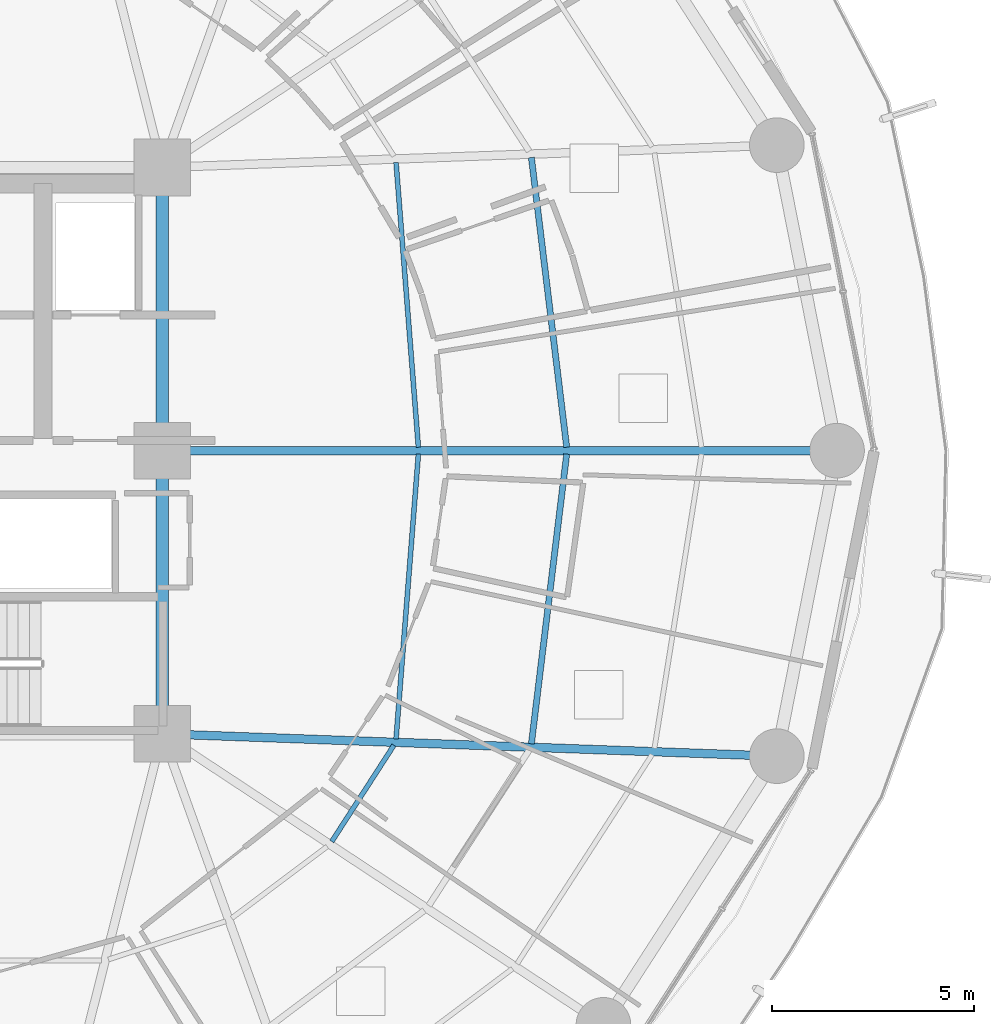
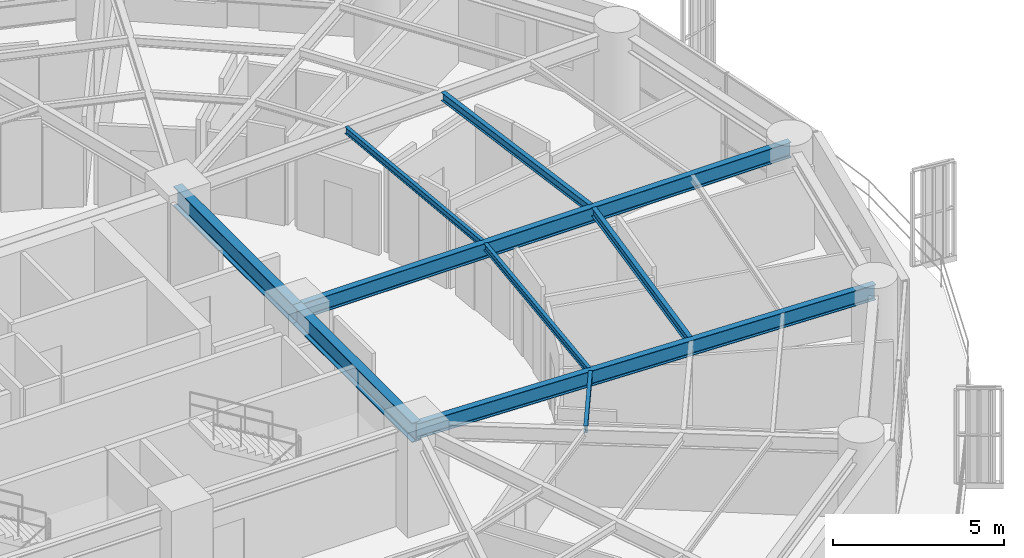
# One storey, part 12 of 33: 9 beams.
"""IFC4 building model written with IfcOpenShell, lengths in metres."""

from ifc_helpers import new_model, si_unit, direction, frame, origin, origin_2d, place, context, subcontext, project, spatial, i_section, extrude, material, material_profile, profile_set, type_object, element, save


model = new_model("IFC4")

# Units and contexts
model_context = context("Model", 3, precision=1e-05, world=origin(), true_north=direction((0.0, 1.0)))
body_context = subcontext(model_context, "Body", "Model", "MODEL_VIEW")
ifc_project = project(units=[si_unit("LENGTHUNIT", "METRE"), si_unit("AREAUNIT", "SQUARE_METRE"), si_unit("VOLUMEUNIT", "CUBIC_METRE"), si_unit("PLANEANGLEUNIT", "RADIAN"), si_unit("MASSUNIT", "GRAM", prefix="KILO")], contexts=[model_context])

# Site, building, storey
site_placement = place(None, origin())
site = spatial("IfcSite", under=ifc_project, at=site_placement, CompositionType="ELEMENT")
building_placement = place(site_placement, origin())
building = spatial("IfcBuilding", under=site, at=building_placement, Name="Kelanora Arch Commons", CompositionType="ELEMENT")
storey_placement = place(building_placement, frame((0.0, 0.0, 83.85009765625)))
storey = spatial("IfcBuildingStorey", under=building, at=storey_placement, Name="L21", CompositionType="ELEMENT", Elevation=83.85009765625)

# Beams
ifc_material = material(Name="Steel S355", Category="steel")
ifc_material_profile_1 = material_profile(ifc_material, i_section(OverallWidth=0.300048828125, OverallDepth=0.699951171875, WebThickness=0.01708984375, FlangeThickness=0.031982421875, FilletRadius=0.027099609375, at=origin_2d()), Name="HEB700")
ifc_profile_set_1 = profile_set([ifc_material_profile_1], Name="Steel S355")
beam_type_1 = type_object("IfcBeamType", Name="BM-CORE-HDR", PredefinedType="BEAM", material=ifc_profile_set_1)
for number, where, z_axis, x_axis, name in (
    (1, (82.0, 51.0, 3.139892578125), (0.0, 1.0, 0.0), (-1.0, 0.0, 0.0), "Core Header Beam 03 L21"),
    (2, (82.0, 58.0, 3.139892578125), (0.0, 1.0, 0.0), (-1.0, 0.0, 0.0), "Core Header Beam 04 L21"),
):
    element("IfcBeam", number, at=place(storey_placement, frame(where, z_axis=z_axis, x_axis=x_axis)), inside=storey, type_object=beam_type_1, Name=name, PredefinedType="BEAM", context=body_context, shape_type="SweptSolid", body=[
        extrude(i_section(OverallWidth=0.300048828125, OverallDepth=0.699951171875, WebThickness=0.01708984375, FlangeThickness=0.031982421875, FilletRadius=0.027099609375, at=origin_2d()), origin(), (0.0, 0.0, 1.0), 7.0),
    ])
ifc_material_profile_2 = material_profile(ifc_material, i_section(OverallWidth=0.14990234375, OverallDepth=0.300048828125, WebThickness=0.007080078125, FlangeThickness=0.0107421875, FilletRadius=0.014892578125, at=origin_2d()), Name="IPE300")
ifc_profile_set_2 = profile_set([ifc_material_profile_2], Name="Steel S355")
beam_type_2 = type_object("IfcBeamType", Name="BM-JST-01", PredefinedType="JOIST", material=ifc_profile_set_2)
for number, where, z_axis, x_axis, name in (
    (3, (91.997802734375, 58.08447265625, 3.33984375), (-0.120935645266, 0.992660349618, 0.0), (-0.992660349618, -0.120935645266, 0.0), "Secondary Chord Joist BJB-00 L21"),
    (4, (91.125244140625, 50.75341796875, 3.33984375), (0.120935645266, 0.992660349618, 0.0), (-0.992660349618, 0.120935645266, 0.0), "Secondary Chord Joist BJB-34 L21"),
):
    element("IfcBeam", number, at=place(storey_placement, frame(where, z_axis=z_axis, x_axis=x_axis)), inside=storey, type_object=beam_type_2, Name=name, PredefinedType="JOIST", context=body_context, shape_type="SweptSolid", body=[
        extrude(i_section(OverallWidth=0.14990234375, OverallDepth=0.300048828125, WebThickness=0.007080078125, FlangeThickness=0.0107421875, FilletRadius=0.014892578125, at=origin_2d()), origin(), (0.0, 0.0, 1.0), 7.215087890625),
    ])
ifc_material_profile_3 = material_profile(ifc_material, i_section(OverallWidth=0.1201171875, OverallDepth=0.239990234375, WebThickness=0.006103515625, FlangeThickness=0.009765625, FilletRadius=0.014892578125, at=origin_2d()), Name="IPE240")
ifc_profile_set_3 = profile_set([ifc_material_profile_3], Name="Steel S355")
beam_type_3 = type_object("IfcBeamType", Name="BM-JST-02", PredefinedType="JOIST", material=ifc_profile_set_3)
beam_1_placement = place(storey_placement, frame((88.331787109375, 58.084716796875, 3.369873046875), z_axis=(-0.078200677502, 0.996937637989, 0.0), x_axis=(-0.996937637989, -0.078200677502, 0.0)))
element("IfcBeam", 5, at=beam_1_placement, inside=storey, type_object=beam_type_3, Name="Secondary Chord Joist BJA-00 L21", PredefinedType="JOIST", context=body_context, shape_type="SweptSolid", body=[
    extrude(i_section(OverallWidth=0.1201171875, OverallDepth=0.239990234375, WebThickness=0.006103515625, FlangeThickness=0.009765625, FilletRadius=0.014892578125, at=origin_2d()), origin(), (0.0, 0.0, 1.0), 7.06201171875),
])
beam_2_placement = place(storey_placement, frame((86.1904296875, 48.338134765625, 3.369873046875), z_axis=(0.542211255502, 0.840242199849, 0.0), x_axis=(-0.840242199849, 0.542211255502, 0.0)))
element("IfcBeam", 6, at=beam_2_placement, inside=storey, type_object=beam_type_3, Name="Secondary Chord Joist BJA-32 L21", PredefinedType="JOIST", context=body_context, shape_type="SweptSolid", body=[
    extrude(i_section(OverallWidth=0.1201171875, OverallDepth=0.239990234375, WebThickness=0.006103515625, FlangeThickness=0.009765625, FilletRadius=0.014892578125, at=origin_2d()), origin(), (0.0, 0.0, 1.0), 2.83349609375),
])
beam_3_placement = place(storey_placement, frame((87.779541015625, 50.875, 3.369873046875), z_axis=(0.078200677502, 0.996937637989, 0.0), x_axis=(-0.996937637989, 0.078200677502, 0.0)))
element("IfcBeam", 7, at=beam_3_placement, inside=storey, type_object=beam_type_3, Name="Secondary Chord Joist BJA-34 L21", PredefinedType="JOIST", context=body_context, shape_type="SweptSolid", body=[
    extrude(i_section(OverallWidth=0.1201171875, OverallDepth=0.239990234375, WebThickness=0.006103515625, FlangeThickness=0.009765625, FilletRadius=0.014892578125, at=origin_2d()), origin(), (0.0, 0.0, 1.0), 7.06201171875),
])
ifc_material_profile_4 = material_profile(ifc_material, i_section(OverallWidth=0.2099609375, OverallDepth=0.550048828125, WebThickness=0.010986328125, FlangeThickness=0.01708984375, FilletRadius=0.02392578125, at=origin_2d()), Name="IPE550")
ifc_profile_set_4 = profile_set([ifc_material_profile_4], Name="Steel S355")
beam_type_4 = type_object("IfcBeamType", Name="BM-RAD-Z2", PredefinedType="BEAM", material=ifc_profile_set_4)
beam_4_placement = place(storey_placement, frame((82.0, 58.0, 3.21484375), z_axis=(1.0, 0.0, 0.0), x_axis=(0.0, 1.0, 0.0)))
element("IfcBeam", 8, at=beam_4_placement, inside=storey, type_object=beam_type_4, Name="Radial Floor Girder BR-00 L21", PredefinedType="BEAM", context=body_context, shape_type="SweptSolid", body=[
    extrude(i_section(OverallWidth=0.2099609375, OverallDepth=0.550048828125, WebThickness=0.010986328125, FlangeThickness=0.01708984375, FilletRadius=0.02392578125, at=origin_2d()), origin(), (0.0, 0.0, 1.0), 16.679931640625),
])
beam_5_placement = place(storey_placement, frame((82.0, 51.0, 3.21484375), z_axis=(0.999341087625, -0.036295875581, 0.0), x_axis=(0.036295875581, 0.999341087625, 0.0)))
element("IfcBeam", 9, at=beam_5_placement, inside=storey, type_object=beam_type_4, Name="Radial Floor Girder BR-34 L21", PredefinedType="BEAM", context=body_context, shape_type="SweptSolid", body=[
    extrude(i_section(OverallWidth=0.2099609375, OverallDepth=0.550048828125, WebThickness=0.010986328125, FlangeThickness=0.01708984375, FilletRadius=0.02392578125, at=origin_2d()), origin(), (0.0, 0.0, 1.0), 15.20166015625),
])

save(model, "model.ifc")
